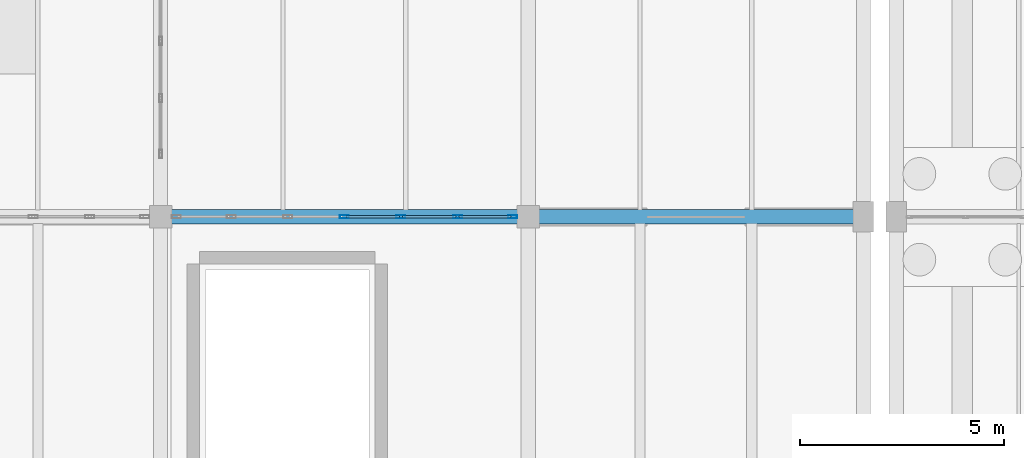
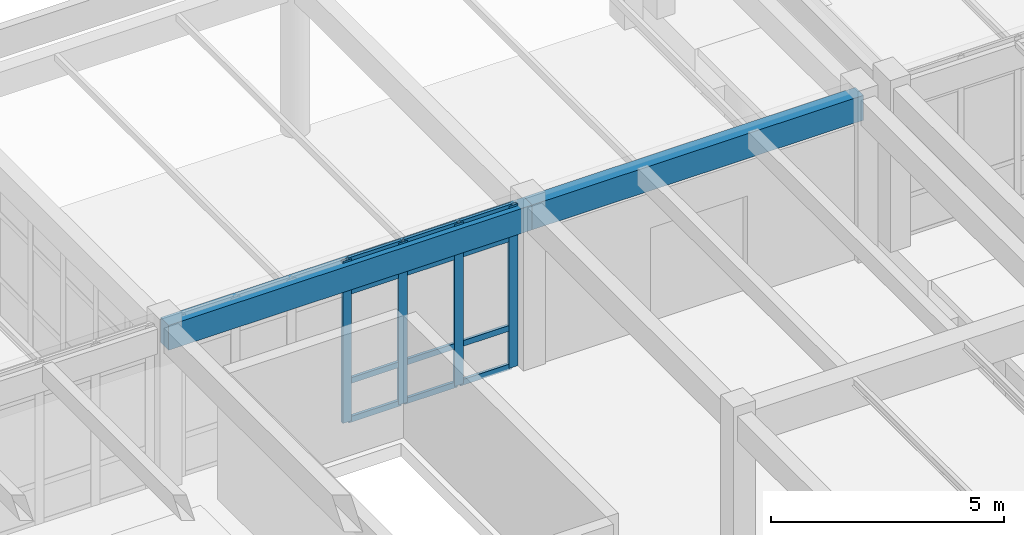
# One storey, part 102 of 186: 16 members, 2 beams, 1 element without a shape of its own.
"""IFC4 building model written with IfcOpenShell, lengths in metres."""

from ifc_helpers import new_model, si_unit, direction, frame, origin, origin_2d, place, context, subcontext, project, spatial, rectangle, hollow_rectangle, extrude, material, layer, layer_set, material_profile, profile_set, type_object, element, aggregate, save


model = new_model("IFC4")

# Units and contexts
model_context = context("Model", 3, precision=1e-05, world=origin(), true_north=direction((0.0, 1.0)))
body_context = subcontext(model_context, "Body", "Model", "MODEL_VIEW")
ifc_project = project(units=[si_unit("LENGTHUNIT", "METRE"), si_unit("AREAUNIT", "SQUARE_METRE"), si_unit("VOLUMEUNIT", "CUBIC_METRE"), si_unit("PLANEANGLEUNIT", "RADIAN"), si_unit("MASSUNIT", "GRAM", prefix="KILO")], contexts=[model_context])

# Site, building, storey
site_placement = place(None, origin())
site = spatial("IfcSite", under=ifc_project, at=site_placement, CompositionType="ELEMENT")
building_placement = place(site_placement, origin())
building = spatial("IfcBuilding", under=site, at=building_placement, Name="Ornek Quay Market", CompositionType="ELEMENT")
storey_placement = place(building_placement, origin())
storey = spatial("IfcBuildingStorey", under=building, at=storey_placement, Name="L00", CompositionType="ELEMENT", Elevation=0.0)

# Beams
ifc_material_1 = material(Name="Concrete C35/45", Category="concrete")
ifc_material_profile_1 = material_profile(ifc_material_1, rectangle(XDim=0.35009765625, YDim=0.64990234375, at=origin_2d()), Name="RC 350x650", Category="concrete")
ifc_profile_set_1 = profile_set([ifc_material_profile_1], Name="Concrete C35/45")
beam_type = type_object("IfcBeamType", Name="BM-CONC-350x650", PredefinedType="BEAM", material=ifc_profile_set_1)
beam_1_placement = place(storey_placement, frame((108.0, 110.0, 3.864990234375), z_axis=(1.0, 0.0, 0.0), x_axis=(0.0, 1.0, 0.0)))
element("IfcBeam", 1, at=beam_1_placement, inside=storey, type_object=beam_type, Name="Primary beam B-CN1-014", PredefinedType="BEAM", context=body_context, shape_type="SweptSolid", body=[
    extrude(rectangle(XDim=0.35009765625, YDim=0.64990234375, at=origin_2d()), origin(), (0.0, 0.0, 1.0), 9.0),
])
beam_2_placement = place(storey_placement, frame((117.0, 110.0, 3.864990234375), z_axis=(1.0, 0.0, 0.0), x_axis=(0.0, 1.0, 0.0)))
element("IfcBeam", 2, at=beam_2_placement, inside=storey, type_object=beam_type, Name="Primary beam B-CN1-015", PredefinedType="BEAM", context=body_context, shape_type="SweptSolid", body=[
    extrude(rectangle(XDim=0.35009765625, YDim=0.64990234375, at=origin_2d()), origin(), (0.0, 0.0, 1.0), 8.199951171875),
])

# Curtain wall, members
ifc_material_2 = material(Name="Anodised bronze aluminium and triple low-e glass", Category="aluminium")
ifc_layer = layer(ifc_material_2, 0.219970703125, Name="Anodised bronze aluminium and triple low-e glass", Category="aluminium")
ifc_layer_set = layer_set([ifc_layer], Name="Anodised bronze aluminium and triple low-e glass")
curtain_wall_type = type_object("IfcCurtainWallType", Name="CW-PORCH-MOD1500", PredefinedType="USERDEFINED", material=ifc_layer_set)
curtain_wall_placement = place(storey_placement, origin())
curtain_wall = element("IfcCurtainWall", 3, at=curtain_wall_placement, inside=storey, type_object=curtain_wall_type, Name="Curtain wall CW-048", ObjectType="CURTAIN WALL", PredefinedType="USERDEFINED")
ifc_material_3 = material(Name="Anodised aluminium 6063-T6", Category="aluminium")
ifc_material_profile_2 = material_profile(ifc_material_3, hollow_rectangle(XDim=0.074951171875, YDim=0.219970703125, WallThickness=0.0048828125, at=origin_2d()), Name="CW-MUL-75x220", Category="aluminium")
ifc_profile_set_2 = profile_set([ifc_material_profile_2], Name="Anodised aluminium 6063-T6")
member_type_1 = type_object("IfcMemberType", Name="CW-MUL-75x220", PredefinedType="MULLION", material=ifc_profile_set_2)
member_1_placement = place(storey_placement, frame((112.5, 110.0, 0.0), z_axis=(0.0, 0.0, 1.0), x_axis=(0.0, 1.0, 0.0)))
member_1 = element("IfcMember", 4, at=member_1_placement, type_object=member_type_1, Name="CW-048 mullion 4", PredefinedType="MULLION", context=body_context, shape_type="SweptSolid", body=[
    extrude(hollow_rectangle(XDim=0.074951171875, YDim=0.219970703125, WallThickness=0.0048828125, at=origin_2d()), origin(), (0.0, 0.0, 1.0), 4.239990234375),
])
member_2_placement = place(storey_placement, frame((113.88330078125, 110.0, 0.0), z_axis=(0.0, 0.0, 1.0), x_axis=(0.0, 1.0, 0.0)))
member_2 = element("IfcMember", 5, at=member_2_placement, type_object=member_type_1, Name="CW-048 mullion 5", PredefinedType="MULLION", context=body_context, shape_type="SweptSolid", body=[
    extrude(hollow_rectangle(XDim=0.074951171875, YDim=0.219970703125, WallThickness=0.0048828125, at=origin_2d()), origin(), (0.0, 0.0, 1.0), 4.239990234375),
])
member_3_placement = place(storey_placement, frame((115.2666015625, 110.0, 0.0), z_axis=(0.0, 0.0, 1.0), x_axis=(0.0, 1.0, 0.0)))
member_3 = element("IfcMember", 6, at=member_3_placement, type_object=member_type_1, Name="CW-048 mullion 6", PredefinedType="MULLION", context=body_context, shape_type="SweptSolid", body=[
    extrude(hollow_rectangle(XDim=0.074951171875, YDim=0.219970703125, WallThickness=0.0048828125, at=origin_2d()), origin(), (0.0, 0.0, 1.0), 4.239990234375),
])
member_4_placement = place(storey_placement, frame((116.612548828125, 110.0, 0.0), z_axis=(0.0, 0.0, 1.0), x_axis=(0.0, 1.0, 0.0)))
member_4 = element("IfcMember", 7, at=member_4_placement, type_object=member_type_1, Name="CW-048 mullion 7", PredefinedType="MULLION", context=body_context, shape_type="SweptSolid", body=[
    extrude(hollow_rectangle(XDim=0.074951171875, YDim=0.219970703125, WallThickness=0.0048828125, at=origin_2d()), origin(), (0.0, 0.0, 1.0), 4.239990234375),
])
ifc_material_profile_3 = material_profile(ifc_material_3, hollow_rectangle(XDim=0.070068359375, YDim=0.14990234375, WallThickness=0.0048828125, at=origin_2d()), Name="CW-TRN-70x150", Category="aluminium")
ifc_profile_set_3 = profile_set([ifc_material_profile_3], Name="Anodised aluminium 6063-T6")
member_type_2 = type_object("IfcMemberType", Name="CW-TRN-70x150", PredefinedType="USERDEFINED", material=ifc_profile_set_3)
member_5_placement = place(storey_placement, frame((112.53759765625, 110.0, 0.034912109375), z_axis=(1.0, 0.0, 0.0), x_axis=(0.0, 1.0, 0.0)))
member_5 = element("IfcMember", 8, at=member_5_placement, type_object=member_type_2, Name="CW-048 transom 4.1", ObjectType="TRANSOM", PredefinedType="USERDEFINED", context=body_context, shape_type="SweptSolid", body=[
    extrude(hollow_rectangle(XDim=0.070068359375, YDim=0.14990234375, WallThickness=0.0048828125, at=origin_2d()), origin(), (0.0, 0.0, 1.0), 1.308349609375),
])
member_6_placement = place(storey_placement, frame((112.53759765625, 110.0, 1.050048828125), z_axis=(1.0, 0.0, 0.0), x_axis=(0.0, 1.0, 0.0)))
member_6 = element("IfcMember", 9, at=member_6_placement, type_object=member_type_2, Name="CW-048 transom 4.2", ObjectType="TRANSOM", PredefinedType="USERDEFINED", context=body_context, shape_type="SweptSolid", body=[
    extrude(hollow_rectangle(XDim=0.070068359375, YDim=0.14990234375, WallThickness=0.0048828125, at=origin_2d()), origin(), (0.0, 0.0, 1.0), 1.308349609375),
])
member_7_placement = place(storey_placement, frame((112.53759765625, 110.0, 3.389892578125), z_axis=(1.0, 0.0, 0.0), x_axis=(0.0, 1.0, 0.0)))
member_7 = element("IfcMember", 10, at=member_7_placement, type_object=member_type_2, Name="CW-048 transom 4.3", ObjectType="TRANSOM", PredefinedType="USERDEFINED", context=body_context, shape_type="SweptSolid", body=[
    extrude(hollow_rectangle(XDim=0.070068359375, YDim=0.14990234375, WallThickness=0.0048828125, at=origin_2d()), origin(), (0.0, 0.0, 1.0), 1.308349609375),
])
member_8_placement = place(storey_placement, frame((112.53759765625, 110.0, 4.205078125), z_axis=(1.0, 0.0, 0.0), x_axis=(0.0, 1.0, 0.0)))
member_8 = element("IfcMember", 11, at=member_8_placement, type_object=member_type_2, Name="CW-048 transom 4.4", ObjectType="TRANSOM", PredefinedType="USERDEFINED", context=body_context, shape_type="SweptSolid", body=[
    extrude(hollow_rectangle(XDim=0.070068359375, YDim=0.14990234375, WallThickness=0.0048828125, at=origin_2d()), origin(), (0.0, 0.0, 1.0), 1.308349609375),
])
member_9_placement = place(storey_placement, frame((113.9208984375, 110.0, 0.034912109375), z_axis=(1.0, 0.0, 0.0), x_axis=(0.0, 1.0, 0.0)))
member_9 = element("IfcMember", 12, at=member_9_placement, type_object=member_type_2, Name="CW-048 transom 5.1", ObjectType="TRANSOM", PredefinedType="USERDEFINED", context=body_context, shape_type="SweptSolid", body=[
    extrude(hollow_rectangle(XDim=0.070068359375, YDim=0.14990234375, WallThickness=0.0048828125, at=origin_2d()), origin(), (0.0, 0.0, 1.0), 1.308349609375),
])
member_10_placement = place(storey_placement, frame((113.9208984375, 110.0, 1.050048828125), z_axis=(1.0, 0.0, 0.0), x_axis=(0.0, 1.0, 0.0)))
member_10 = element("IfcMember", 13, at=member_10_placement, type_object=member_type_2, Name="CW-048 transom 5.2", ObjectType="TRANSOM", PredefinedType="USERDEFINED", context=body_context, shape_type="SweptSolid", body=[
    extrude(hollow_rectangle(XDim=0.070068359375, YDim=0.14990234375, WallThickness=0.0048828125, at=origin_2d()), origin(), (0.0, 0.0, 1.0), 1.308349609375),
])
member_11_placement = place(storey_placement, frame((113.9208984375, 110.0, 3.389892578125), z_axis=(1.0, 0.0, 0.0), x_axis=(0.0, 1.0, 0.0)))
member_11 = element("IfcMember", 14, at=member_11_placement, type_object=member_type_2, Name="CW-048 transom 5.3", ObjectType="TRANSOM", PredefinedType="USERDEFINED", context=body_context, shape_type="SweptSolid", body=[
    extrude(hollow_rectangle(XDim=0.070068359375, YDim=0.14990234375, WallThickness=0.0048828125, at=origin_2d()), origin(), (0.0, 0.0, 1.0), 1.308349609375),
])
member_12_placement = place(storey_placement, frame((113.9208984375, 110.0, 4.205078125), z_axis=(1.0, 0.0, 0.0), x_axis=(0.0, 1.0, 0.0)))
member_12 = element("IfcMember", 15, at=member_12_placement, type_object=member_type_2, Name="CW-048 transom 5.4", ObjectType="TRANSOM", PredefinedType="USERDEFINED", context=body_context, shape_type="SweptSolid", body=[
    extrude(hollow_rectangle(XDim=0.070068359375, YDim=0.14990234375, WallThickness=0.0048828125, at=origin_2d()), origin(), (0.0, 0.0, 1.0), 1.308349609375),
])
member_13_placement = place(storey_placement, frame((115.30419921875, 110.0, 0.034912109375), z_axis=(1.0, 0.0, 0.0), x_axis=(0.0, 1.0, 0.0)))
member_13 = element("IfcMember", 16, at=member_13_placement, type_object=member_type_2, Name="CW-048 transom 6.1", ObjectType="TRANSOM", PredefinedType="USERDEFINED", context=body_context, shape_type="SweptSolid", body=[
    extrude(hollow_rectangle(XDim=0.070068359375, YDim=0.14990234375, WallThickness=0.0048828125, at=origin_2d()), origin(), (0.0, 0.0, 1.0), 1.270751953125),
])
member_14_placement = place(storey_placement, frame((115.30419921875, 110.0, 1.050048828125), z_axis=(1.0, 0.0, 0.0), x_axis=(0.0, 1.0, 0.0)))
member_14 = element("IfcMember", 17, at=member_14_placement, type_object=member_type_2, Name="CW-048 transom 6.2", ObjectType="TRANSOM", PredefinedType="USERDEFINED", context=body_context, shape_type="SweptSolid", body=[
    extrude(hollow_rectangle(XDim=0.070068359375, YDim=0.14990234375, WallThickness=0.0048828125, at=origin_2d()), origin(), (0.0, 0.0, 1.0), 1.270751953125),
])
member_15_placement = place(storey_placement, frame((115.30419921875, 110.0, 3.389892578125), z_axis=(1.0, 0.0, 0.0), x_axis=(0.0, 1.0, 0.0)))
member_15 = element("IfcMember", 18, at=member_15_placement, type_object=member_type_2, Name="CW-048 transom 6.3", ObjectType="TRANSOM", PredefinedType="USERDEFINED", context=body_context, shape_type="SweptSolid", body=[
    extrude(hollow_rectangle(XDim=0.070068359375, YDim=0.14990234375, WallThickness=0.0048828125, at=origin_2d()), origin(), (0.0, 0.0, 1.0), 1.270751953125),
])
member_16_placement = place(storey_placement, frame((115.30419921875, 110.0, 4.205078125), z_axis=(1.0, 0.0, 0.0), x_axis=(0.0, 1.0, 0.0)))
member_16 = element("IfcMember", 19, at=member_16_placement, type_object=member_type_2, Name="CW-048 transom 6.4", ObjectType="TRANSOM", PredefinedType="USERDEFINED", context=body_context, shape_type="SweptSolid", body=[
    extrude(hollow_rectangle(XDim=0.070068359375, YDim=0.14990234375, WallThickness=0.0048828125, at=origin_2d()), origin(), (0.0, 0.0, 1.0), 1.270751953125),
])
aggregate(curtain_wall, [member_1, member_2, member_3, member_4, member_5, member_6, member_7, member_8, member_9, member_10, member_11, member_12, member_13, member_14, member_15, member_16])

save(model, "model.ifc")
